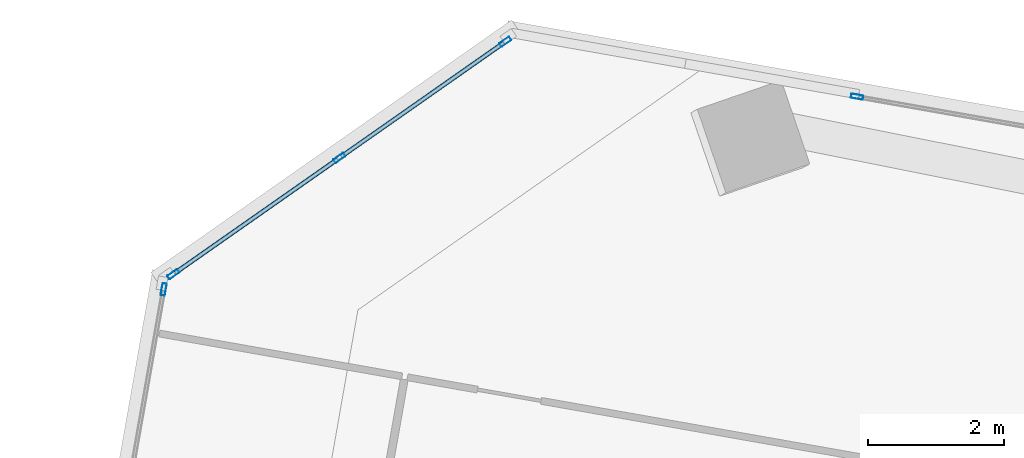
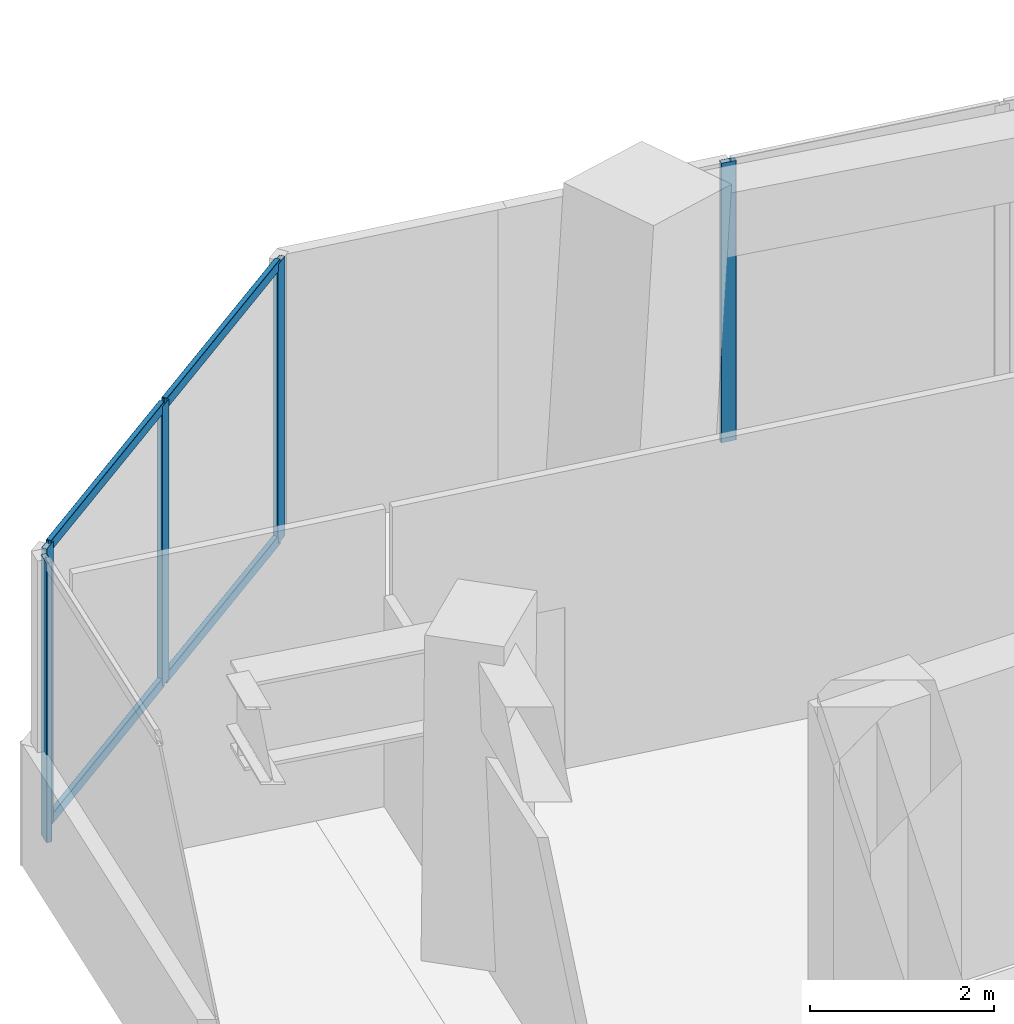
# One storey, part 14 of 24: 9 members, 3 elements without a shape of their own.
"""IFC4 building model written with IfcOpenShell, lengths in metres."""

from ifc_helpers import new_model, si_unit, direction, frame, origin, origin_2d, place, context, subcontext, project, spatial, hollow_rectangle, extrude, source, transform, mapped, material, material_profile, profile_set, type_object, element, aggregate, save


model = new_model("IFC4")

# Units and contexts
model_context = context("Model", 3, precision=1e-05, world=origin(), true_north=direction((0.0, 1.0)))
body_context = subcontext(model_context, "Body", "Model", "MODEL_VIEW")
ifc_project = project(units=[si_unit("LENGTHUNIT", "METRE"), si_unit("AREAUNIT", "SQUARE_METRE"), si_unit("VOLUMEUNIT", "CUBIC_METRE"), si_unit("PLANEANGLEUNIT", "RADIAN"), si_unit("MASSUNIT", "GRAM", prefix="KILO")], contexts=[model_context])

# Site, building, storey
site_placement = place(None, origin())
site = spatial("IfcSite", under=ifc_project, at=site_placement, CompositionType="ELEMENT")
building_placement = place(site_placement, origin())
building = spatial("IfcBuilding", under=site, at=building_placement, Name="Torre Montelarca", CompositionType="ELEMENT")
storey_placement = place(building_placement, frame((0.0, 0.0, 79.0)))
storey = spatial("IfcBuildingStorey", under=building, at=storey_placement, Name="L17", CompositionType="ELEMENT", Elevation=79.0)

# Curtain wall, members
ifc_material_1 = material(Name="Insulated low-E laminated glass", Category="glass")
curtain_wall_type = type_object("IfcCurtainWallType", Name="CW-SYS-Z1", PredefinedType="USERDEFINED", material=ifc_material_1)
curtain_wall_1_placement = place(storey_placement, origin())
curtain_wall_1 = element("IfcCurtainWall", 1, at=curtain_wall_1_placement, inside=storey, type_object=curtain_wall_type, Name="L17 Curtain Wall Run CW-T3-L17-E09-B1", ObjectType="UNITISED GLAZING", PredefinedType="USERDEFINED")
ifc_material_2 = material(Name="Anodised aluminium AA 6063-T6", Category="aluminium")
ifc_material_profile_1 = material_profile(ifc_material_2, hollow_rectangle(XDim=0.06494140625, YDim=0.139892578125, WallThickness=0.00390625, InnerFilletRadius=0.00390625, OuterFilletRadius=0.008056640625, at=origin_2d()), Name="ALU65X140X4", Category="aluminium")
ifc_profile_set_1 = profile_set([ifc_material_profile_1], Name="Anodised aluminium AA 6063-T6")
member_type_1 = type_object("IfcMemberType", Name="CWT-ALU140", PredefinedType="USERDEFINED", material=ifc_profile_set_1)
shared_shape_1 = source(origin(), body_context, "Body", "SweptSolid", [
    extrude(hollow_rectangle(XDim=0.06494140625, YDim=0.139892578125, WallThickness=0.00390625, InnerFilletRadius=0.00390625, OuterFilletRadius=0.008056640625, at=origin_2d()), origin(), (0.0, 0.0, 1.0), 2.918701171875),
])
member_1_placement = place(storey_placement, frame((8.244873046875, 50.528076171875, 0.032470703125), z_axis=(-0.819157248605, -0.573569003746, 0.0), x_axis=(0.573569003746, -0.819157248605, 0.0)))
member_1 = element("IfcMember", 2, at=member_1_placement, type_object=member_type_1, Name="CW transom 1.1", ObjectType="TRANSOM", PredefinedType="USERDEFINED", context=body_context, shape_type="MappedRepresentation", body=[
    mapped(shared_shape_1, transform((0.0, 0.0, 0.0), scale=1.0)),
])
member_2_placement = place(storey_placement, frame((8.244873046875, 50.528076171875, 3.6875), z_axis=(-0.819157248605, -0.573569003746, 0.0), x_axis=(0.573569003746, -0.819157248605, 0.0)))
member_2 = element("IfcMember", 3, at=member_2_placement, type_object=member_type_1, Name="CW transom 1.2", ObjectType="TRANSOM", PredefinedType="USERDEFINED", context=body_context, shape_type="MappedRepresentation", body=[
    mapped(shared_shape_1, transform((0.0, 0.0, 0.0), scale=1.0)),
])
shared_shape_2 = source(origin(), body_context, "Body", "SweptSolid", [
    extrude(hollow_rectangle(XDim=0.06494140625, YDim=0.139892578125, WallThickness=0.00390625, InnerFilletRadius=0.00390625, OuterFilletRadius=0.008056640625, at=origin_2d()), origin(), (0.0, 0.0, 1.0), 2.91845703125),
])
member_3_placement = place(storey_placement, frame((5.80078125, 48.816650390625, 0.032470703125), z_axis=(-0.819196549646, -0.573512870865, 0.0), x_axis=(0.573512870865, -0.819196549646, 0.0)))
member_3 = element("IfcMember", 4, at=member_3_placement, type_object=member_type_1, Name="CW transom 2.1", ObjectType="TRANSOM", PredefinedType="USERDEFINED", context=body_context, shape_type="MappedRepresentation", body=[
    mapped(shared_shape_2, transform((0.0, 0.0, 0.0), scale=1.0)),
])
member_4_placement = place(storey_placement, frame((5.80078125, 48.816650390625, 3.6875), z_axis=(-0.819196549646, -0.573512870865, 0.0), x_axis=(0.573512870865, -0.819196549646, 0.0)))
member_4 = element("IfcMember", 5, at=member_4_placement, type_object=member_type_1, Name="CW transom 2.2", ObjectType="TRANSOM", PredefinedType="USERDEFINED", context=body_context, shape_type="MappedRepresentation", body=[
    mapped(shared_shape_2, transform((0.0, 0.0, 0.0), scale=1.0)),
])

# Curtain wall, member
curtain_wall_2_placement = place(storey_placement, origin())
curtain_wall_2 = element("IfcCurtainWall", 6, at=curtain_wall_2_placement, inside=storey, type_object=curtain_wall_type, Name="L17 Curtain Wall Run CW-T3-L17-E08-B4", ObjectType="UNITISED GLAZING", PredefinedType="USERDEFINED")
ifc_material_profile_2 = material_profile(ifc_material_2, hollow_rectangle(XDim=0.06494140625, YDim=0.179931640625, WallThickness=0.00390625, InnerFilletRadius=0.00390625, OuterFilletRadius=0.008056640625, at=origin_2d()), Name="ALU65X180X4", Category="aluminium")
ifc_profile_set_2 = profile_set([ifc_material_profile_2], Name="Anodised aluminium AA 6063-T6")
member_type_2 = type_object("IfcMemberType", Name="CWM-ALU180", PredefinedType="MULLION", material=ifc_profile_set_2)
shared_shape_3 = source(origin(), body_context, "Body", "SweptSolid", [
    extrude(hollow_rectangle(XDim=0.06494140625, YDim=0.179931640625, WallThickness=0.00390625, InnerFilletRadius=0.00390625, OuterFilletRadius=0.008056640625, at=origin_2d()), origin(), (0.0, 0.0, 1.0), 3.719970703125),
])
member_5_placement = place(storey_placement, frame((13.45361328125, 49.736572265625, 0.0), z_axis=(0.0, 0.0, 1.0), x_axis=(-0.173653543698, -0.984806806821, 0.0)))
member_5 = element("IfcMember", 7, at=member_5_placement, type_object=member_type_2, Name="CW mullion 3", PredefinedType="MULLION", context=body_context, shape_type="MappedRepresentation", body=[
    mapped(shared_shape_3, transform((0.0, 0.0, 0.0), scale=1.0)),
])
aggregate(curtain_wall_2, [member_5])

# Member
member_6_placement = place(storey_placement, frame((8.271484375, 50.546630859375, 0.0), z_axis=(0.0, 0.0, 1.0), x_axis=(0.573553573511, -0.819168052546, 0.0)))
member_6 = element("IfcMember", 8, at=member_6_placement, type_object=member_type_2, Name="CW mullion 1", PredefinedType="MULLION", context=body_context, shape_type="MappedRepresentation", body=[
    mapped(shared_shape_3, transform((0.0, 0.0, 0.0), scale=1.0)),
])

member_7_placement = place(storey_placement, frame((5.827392578125, 48.83544921875, 0.0), z_axis=(0.0, 0.0, 1.0), x_axis=(0.573553573511, -0.819168052546, 0.0)))
member_7 = element("IfcMember", 9, at=member_7_placement, type_object=member_type_2, Name="CW mullion 2", PredefinedType="MULLION", context=body_context, shape_type="MappedRepresentation", body=[
    mapped(shared_shape_3, transform((0.0, 0.0, 0.0), scale=1.0)),
])

member_8_placement = place(storey_placement, frame((3.38330078125, 47.1240234375, 0.0), z_axis=(0.0, 0.0, 1.0), x_axis=(0.573553573511, -0.819168052546, 0.0)))
member_8 = element("IfcMember", 10, at=member_8_placement, type_object=member_type_2, Name="CW mullion 3", PredefinedType="MULLION", context=body_context, shape_type="MappedRepresentation", body=[
    mapped(shared_shape_3, transform((0.0, 0.0, 0.0), scale=1.0)),
])

aggregate(curtain_wall_1, [member_6, member_7, member_8, member_1, member_2, member_3, member_4])

# Curtain wall, member
curtain_wall_3_placement = place(storey_placement, origin())
curtain_wall_3 = element("IfcCurtainWall", 11, at=curtain_wall_3_placement, inside=storey, type_object=curtain_wall_type, Name="L17 Curtain Wall Run CW-T3-L17-E10-B1", ObjectType="UNITISED GLAZING", PredefinedType="USERDEFINED")
member_9_placement = place(storey_placement, frame((3.23974609375, 46.89892578125, 0.0), z_axis=(0.0, 0.0, 1.0), x_axis=(0.984808126187, -0.173646061274, 0.0)))
member_9 = element("IfcMember", 12, at=member_9_placement, type_object=member_type_2, Name="CW mullion 1", PredefinedType="MULLION", context=body_context, shape_type="MappedRepresentation", body=[
    mapped(shared_shape_3, transform((0.0, 0.0, 0.0), scale=1.0)),
])
aggregate(curtain_wall_3, [member_9])

save(model, "model.ifc")
